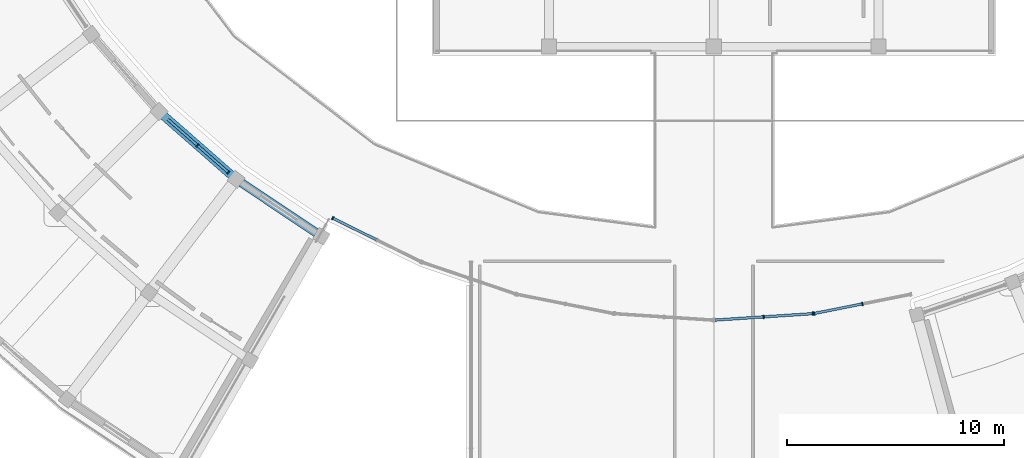
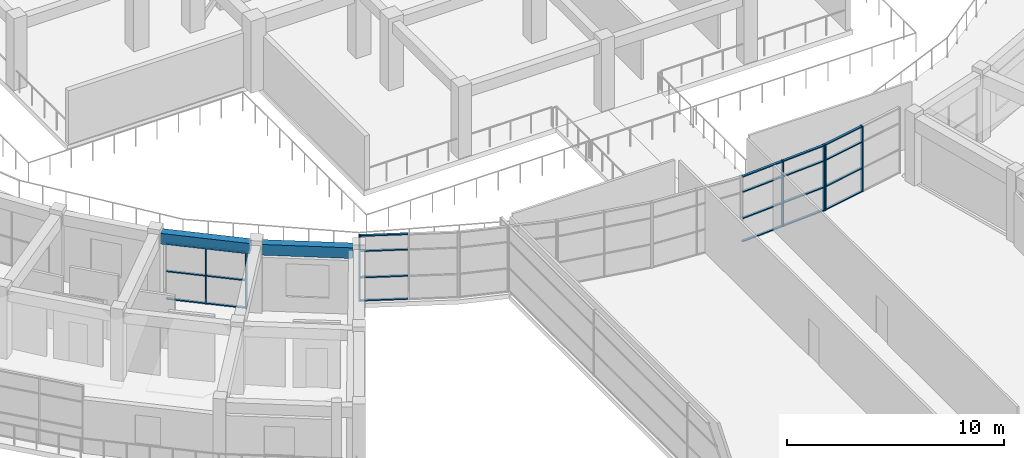
# One storey, part 15 of 83: 29 members, 2 beams, 4 elements without a shape of their own.
"""IFC4 building model written with IfcOpenShell, lengths in metres."""

import ifcopenshell
import ifcopenshell.guid

model = None  # the IFC model being written
_history = None  # IfcOwnerHistory: only IFC2X3 demands one
_inside = {}  # id of a spatial element -> (the spatial element, [elements in it])
_under = {}  # id of a project, library or spatial element -> (it, [spatial elements below it])
_declared = {}  # id of a project -> (the project, [libraries it declares])
_typed = {}  # id of a type object -> (the type object, [elements of that type])
_made_of = {}  # id of a material, layer set ... -> (it, [elements and type objects made of it])


def new_model(schema):
    """Start an empty IFC model of exactly this schema.

    Asked for "IFC4X3", IfcOpenShell would pick the latest addendum, in which some entities
    have other attributes; the version numbers below select the first issue.
    IFC2X3 requires an IfcOwnerHistory on every rooted entity: one is made here for all.
    """
    global model, _history
    if schema == "IFC4X3":
        model = ifcopenshell.file(schema_version=(4, 3, 0, 0))
    else:
        model = ifcopenshell.file(schema=schema)
    _inside.clear()
    _under.clear()
    _declared.clear()
    _typed.clear()
    _made_of.clear()
    _history = None
    if model.schema == "IFC2X3":
        org = make("IfcOrganization", Name="unknown")
        user = make(
            "IfcPersonAndOrganization",
            ThePerson=make("IfcPerson", FamilyName="unknown"),
            TheOrganization=org,
        )
        app = make(
            "IfcApplication",
            ApplicationDeveloper=org,
            Version="unknown",
            ApplicationFullName="unknown",
            ApplicationIdentifier="unknown",
        )
        _history = make(
            "IfcOwnerHistory",
            OwningUser=user,
            OwningApplication=app,
            ChangeAction="ADDED",
            CreationDate=0,
        )
    return model


def make(cls, **values):
    """One entity of the class cls with the attributes given. An attribute that is None is left unset."""
    return model.create_entity(
        cls, **{name: value for name, value in values.items() if value is not None}
    )


def rooted(cls, **values):
    """An entity with a GlobalId (a new one), such as an element, a storey or a relation."""
    return make(cls, GlobalId=ifcopenshell.guid.new(), OwnerHistory=_history, **values)


def si_unit(unit_type, name, prefix=None):
    """IfcSIUnit, for example si_unit("LENGTHUNIT", "METRE", prefix="MILLI")."""
    return make("IfcSIUnit", UnitType=unit_type, Prefix=prefix, Name=name)


def assignment(units):
    """IfcUnitAssignment: the units of a project."""
    return None if units is None else make("IfcUnitAssignment", Units=units)


def point(xyz):
    """IfcCartesianPoint."""
    return None if xyz is None else make("IfcCartesianPoint", Coordinates=xyz)


def direction(xyz):
    """IfcDirection."""
    return None if xyz is None else make("IfcDirection", DirectionRatios=xyz)


def frame(location, z_axis=None, x_axis=None):
    """IfcAxis2Placement3D, a coordinate frame: its origin and axes. An axis left out is left unset."""
    return make(
        "IfcAxis2Placement3D",
        Location=point(location),
        Axis=direction(z_axis),
        RefDirection=direction(x_axis),
    )


def frame_2d(location, x_axis=None):
    """IfcAxis2Placement2D, a coordinate frame in the plane: its origin and x axis."""
    return make(
        "IfcAxis2Placement2D", Location=point(location), RefDirection=direction(x_axis)
    )


def origin():
    """The frame at (0, 0, 0) with its axes left unset."""
    return frame((0.0, 0.0, 0.0))


def origin_2d():
    """The frame at (0, 0) in the plane with its x axis left unset."""
    return frame_2d((0.0, 0.0))


def place(relative_to, where):
    """IfcLocalPlacement: puts the frame where relative to a parent placement (None: the world)."""
    return make(
        "IfcLocalPlacement", PlacementRelTo=relative_to, RelativePlacement=where
    )


def context(
    kind, dimensions, precision=None, world=None, true_north=None, identifier=None
):
    """IfcGeometricRepresentationContext, for example the 3D "Model" context."""
    return make(
        "IfcGeometricRepresentationContext",
        ContextIdentifier=identifier,
        ContextType=kind,
        CoordinateSpaceDimension=dimensions,
        Precision=precision,
        WorldCoordinateSystem=world,
        TrueNorth=true_north,
    )


def subcontext(parent, identifier, kind, view, scale=None):
    """IfcGeometricRepresentationSubContext, for example "Body" below "Model"."""
    return make(
        "IfcGeometricRepresentationSubContext",
        ContextIdentifier=identifier,
        ContextType=kind,
        ParentContext=parent,
        TargetScale=scale,
        TargetView=view,
    )


def project(units=None, contexts=None):
    """IfcProject with its units and contexts."""
    return rooted(
        "IfcProject",
        Name="project",
        RepresentationContexts=contexts,
        UnitsInContext=assignment(units),
    )


def spatial(cls, under=None, at=None, **own):
    """A site, building, storey or space (cls), placed at a placement, below another one or the project."""
    s = rooted(cls, ObjectPlacement=at, **own)
    if under is not None:
        _under.setdefault(under.id(), (under, []))[1].append(s)
    return s


def profile(cls, at=None, kind="AREA", **sizes):
    """A parametric profile (cls). Its sizes go by their IFC names, for example OverallWidth=200.0."""
    return make(cls, ProfileType=kind, Position=at, **sizes)


def rectangle(**sizes):
    """IfcRectangleProfileDef."""
    return profile("IfcRectangleProfileDef", **sizes)


def extrude(swept, where, along, depth):
    """IfcExtrudedAreaSolid: the profile swept, set in the frame where, extruded along a direction by depth."""
    return make(
        "IfcExtrudedAreaSolid",
        SweptArea=swept,
        Position=where,
        ExtrudedDirection=direction(along),
        Depth=depth,
    )


def shape(context_of_items, identifier, shape_type, items):
    """IfcShapeRepresentation: the items that make up one representation, for example the "Body"."""
    return make(
        "IfcShapeRepresentation",
        ContextOfItems=context_of_items,
        RepresentationIdentifier=identifier,
        RepresentationType=shape_type,
        Items=items,
    )


def material(Name=None, Category=None):
    """IfcMaterial."""
    return make("IfcMaterial", Name=Name, Category=Category)


def material_profile(
    of_material, cross_section, Name=None, Category=None, Priority=None
):
    """IfcMaterialProfile: a cross section and its material."""
    return make(
        "IfcMaterialProfile",
        Name=Name,
        Material=of_material,
        Profile=cross_section,
        Priority=Priority,
        Category=Category,
    )


def profile_set(profiles, Name=None, composite=None):
    """IfcMaterialProfileSet."""
    return make(
        "IfcMaterialProfileSet",
        Name=Name,
        MaterialProfiles=profiles,
        CompositeProfile=composite,
    )


def made_of(thing, what):
    """Note that an element or type object is made of a material, layer set ...; save() writes the relation."""
    if what is not None:
        _made_of.setdefault(what.id(), (what, []))[1].append(thing)
    return thing


def type_object(cls, material=None, **own):
    """A type object (cls), such as IfcWallType, which elements share."""
    return made_of(rooted(cls, **own), material)


def element(
    cls,
    number,
    at=None,
    inside=None,
    cuts=None,
    type_object=None,
    material=None,
    context=None,
    identifier="Body",
    shape_type=None,
    held_by="IfcProductDefinitionShape",
    body=None,
    shapes=None,
    **own,
):
    """One element of the class cls, such as IfcWall. Its Tag is "e" and its number.

    at: its placement. inside: the storey or other place that contains it. cuts: it is an
    opening in that element (IfcRelVoidsElement). A single representation is given by context,
    identifier, shape_type and body (its items); several are given by shapes. held_by: the class
    of the entity that holds the representations. save() writes the other relations.
    """
    e = rooted(cls, Tag="e%d" % number, ObjectPlacement=at, **own)
    if body is not None:
        shapes = [shape(context, identifier, shape_type, body)]
    if shapes is not None:
        e.Representation = make(held_by, Representations=shapes)
    if inside is not None:
        _inside.setdefault(inside.id(), (inside, []))[1].append(e)
    if cuts is not None:
        rooted(
            "IfcRelVoidsElement", RelatingBuildingElement=cuts, RelatedOpeningElement=e
        )
    if type_object is not None:
        _typed.setdefault(type_object.id(), (type_object, []))[1].append(e)
    return made_of(e, material)


def aggregate(whole, parts):
    """IfcRelAggregates: a whole, such as a stair, and the parts it consists of."""
    return rooted("IfcRelAggregates", RelatingObject=whole, RelatedObjects=parts)


def save(model, path):
    """Write the relations noted so far, then the file.

    IfcRelAggregates (storeys below a building ...), IfcRelContainedInSpatialStructure (elements
    in a storey), IfcRelDefinesByType, IfcRelAssociatesMaterial and IfcRelDeclares: one each for
    every whole, place, type object, material and project.
    """
    for whole, parts in _under.values():
        aggregate(whole, parts)
    for where, things in _inside.values():
        rooted(
            "IfcRelContainedInSpatialStructure",
            RelatedElements=things,
            RelatingStructure=where,
        )
    for kind, things in _typed.values():
        rooted("IfcRelDefinesByType", RelatedObjects=things, RelatingType=kind)
    for what, things in _made_of.values():
        rooted("IfcRelAssociatesMaterial", RelatedObjects=things, RelatingMaterial=what)
    for by, libraries in _declared.values():
        rooted("IfcRelDeclares", RelatingContext=by, RelatedDefinitions=libraries)
    model.write(path)


model = new_model("IFC4")

# Units and contexts
model_context = context("Model", 3, precision=1e-05, world=origin(), true_north=direction((0.0, 1.0)))
body_context = subcontext(model_context, "Body", "Model", "MODEL_VIEW")
ifc_project = project(units=[si_unit("LENGTHUNIT", "METRE"), si_unit("AREAUNIT", "SQUARE_METRE"), si_unit("VOLUMEUNIT", "CUBIC_METRE"), si_unit("PLANEANGLEUNIT", "RADIAN"), si_unit("MASSUNIT", "GRAM", prefix="KILO")], contexts=[model_context])

# Site, building, storey
site_placement = place(None, origin())
site = spatial("IfcSite", under=ifc_project, at=site_placement, CompositionType="ELEMENT")
building_placement = place(site_placement, origin())
building = spatial("IfcBuilding", under=site, at=building_placement, Name="Saryqyr Civic Hall", CompositionType="ELEMENT")
storey_placement = place(building_placement, frame((0.0, 0.0, 9.14990234375)))
storey = spatial("IfcBuildingStorey", under=building, at=storey_placement, Name="L02", CompositionType="ELEMENT", Elevation=9.14990234375)

# Curtain wall, members
ifc_material_1 = material(Name="Anodised aluminium and triple low-E glass", Category="aluminium")
curtain_wall_type_1 = type_object("IfcCurtainWallType", Name="ENV-CW-STD-27", PredefinedType="NOTDEFINED", material=ifc_material_1)
curtain_wall_1_placement = place(storey_placement, origin())
curtain_wall_1 = element("IfcCurtainWall", 1, at=curtain_wall_1_placement, inside=storey, type_object=curtain_wall_type_1, Name="Curtain wall V4-CWI-L02-08", PredefinedType="NOTDEFINED")
ifc_material_2 = material(Name="Anodised aluminium", Category="aluminium")
ifc_material_profile_1 = material_profile(ifc_material_2, rectangle(XDim=0.06005859375, YDim=0.159912109375, at=origin_2d()), Name="ALU MULLION 60x160")
ifc_profile_set_1 = profile_set([ifc_material_profile_1], Name="Anodised aluminium")
member_type_1 = type_object("IfcMemberType", Name="ENV-CW-MUL-180", PredefinedType="MULLION", material=ifc_profile_set_1)
member_1_placement = place(storey_placement, frame((33.182861328125, 56.841552734375, 0.0), z_axis=(0.0, 0.0, 1.0), x_axis=(0.751850148543, -0.65933402319, 0.0)))
member_1 = element("IfcMember", 2, at=member_1_placement, type_object=member_type_1, Name="CW-27 mullion 2", PredefinedType="MULLION", context=body_context, shape_type="SweptSolid", body=[
    extrude(rectangle(XDim=0.06005859375, YDim=0.159912109375, at=origin_2d()), origin(), (0.0, 0.0, 1.0), 3.1650390625),
])
member_2_placement = place(storey_placement, frame((34.600341796875, 55.5986328125, 0.0), z_axis=(0.0, 0.0, 1.0), x_axis=(0.751850148543, -0.65933402319, 0.0)))
member_2 = element("IfcMember", 3, at=member_2_placement, type_object=member_type_1, Name="CW-27 mullion 3", PredefinedType="MULLION", context=body_context, shape_type="SweptSolid", body=[
    extrude(rectangle(XDim=0.06005859375, YDim=0.159912109375, at=origin_2d()), origin(), (0.0, 0.0, 1.0), 3.1650390625),
])

# Curtain wall, member
curtain_wall_type_2 = type_object("IfcCurtainWallType", Name="ENV-CW-STD-74", PredefinedType="NOTDEFINED", material=ifc_material_1)
curtain_wall_2_placement = place(storey_placement, origin())
curtain_wall_2 = element("IfcCurtainWall", 4, at=curtain_wall_2_placement, inside=storey, type_object=curtain_wall_type_2, Name="Curtain wall V2-PERIM-CW-L02-32", PredefinedType="NOTDEFINED")
member_3_placement = place(storey_placement, frame((39.4169921875, 53.4853515625, 0.0), z_axis=(0.0, 0.0, 1.0), x_axis=(-0.896875116746, 0.44228387373, 0.0)))
member_3 = element("IfcMember", 5, at=member_3_placement, type_object=member_type_1, Name="CW-74 mullion 3", PredefinedType="MULLION", context=body_context, shape_type="SweptSolid", body=[
    extrude(rectangle(XDim=0.06005859375, YDim=0.159912109375, at=origin_2d()), origin(), (0.0, 0.0, 1.0), 3.7001953125),
])

# Curtain wall, members
curtain_wall_3_placement = place(storey_placement, origin())
curtain_wall_3 = element("IfcCurtainWall", 6, at=curtain_wall_3_placement, inside=storey, type_object=curtain_wall_type_2, Name="Curtain wall V2-PERIM-CW-L02-36", PredefinedType="NOTDEFINED")
member_4_placement = place(storey_placement, frame((61.567138671875, 49.079345703125, 0.0), z_axis=(0.0, 0.0, 1.0), x_axis=(-0.997859062814, -0.065400999681, 0.0)))
member_4 = element("IfcMember", 7, at=member_4_placement, type_object=member_type_1, Name="CW-74 mullion 1", PredefinedType="MULLION", context=body_context, shape_type="SweptSolid", body=[
    extrude(rectangle(XDim=0.06005859375, YDim=0.159912109375, at=origin_2d()), origin(), (0.0, 0.0, 1.0), 3.7001953125),
])
member_5_placement = place(storey_placement, frame((59.298583984375, 48.9306640625, 0.0), z_axis=(0.0, 0.0, 1.0), x_axis=(-0.997859062814, -0.065400999681, 0.0)))
member_5 = element("IfcMember", 8, at=member_5_placement, type_object=member_type_1, Name="CW-74 mullion 2", PredefinedType="MULLION", context=body_context, shape_type="SweptSolid", body=[
    extrude(rectangle(XDim=0.06005859375, YDim=0.159912109375, at=origin_2d()), origin(), (0.0, 0.0, 1.0), 3.7001953125),
])

curtain_wall_4_placement = place(storey_placement, origin())
curtain_wall_4 = element("IfcCurtainWall", 9, at=curtain_wall_4_placement, inside=storey, type_object=curtain_wall_type_2, Name="Curtain wall V2-PERIM-CW-L02-37", PredefinedType="NOTDEFINED")
member_6_placement = place(storey_placement, frame((63.8564453125, 49.53076171875, 0.0), z_axis=(0.0, 0.0, 1.0), x_axis=(-0.980784679507, -0.195093342902, 0.0)))
member_6 = element("IfcMember", 10, at=member_6_placement, type_object=member_type_1, Name="CW-74 mullion 2", PredefinedType="MULLION", context=body_context, shape_type="SweptSolid", body=[
    extrude(rectangle(XDim=0.06005859375, YDim=0.159912109375, at=origin_2d()), origin(), (0.0, 0.0, 1.0), 3.7001953125),
])
member_7_placement = place(storey_placement, frame((61.62646484375, 49.087158203125, 0.0), z_axis=(0.0, 0.0, 1.0), x_axis=(-0.980784679507, -0.195093342902, 0.0)))
member_7 = element("IfcMember", 11, at=member_7_placement, type_object=member_type_1, Name="CW-74 mullion 3", PredefinedType="MULLION", context=body_context, shape_type="SweptSolid", body=[
    extrude(rectangle(XDim=0.06005859375, YDim=0.159912109375, at=origin_2d()), origin(), (0.0, 0.0, 1.0), 3.7001953125),
])

# Member
ifc_material_profile_2 = material_profile(ifc_material_2, rectangle(XDim=0.1201171875, YDim=0.06005859375, at=origin_2d()), Name="ALU TRANSOM 120x60")
ifc_profile_set_2 = profile_set([ifc_material_profile_2], Name="Anodised aluminium")
member_type_2 = type_object("IfcMemberType", Name="ENV-CW-TRN-150", PredefinedType="USERDEFINED", material=ifc_profile_set_2)
member_8_placement = place(storey_placement, frame((31.787841796875, 58.06494140625, 0.030029296875), z_axis=(0.751805640639, -0.659384772878, 0.0), x_axis=(0.659384772878, 0.751805640639, 0.0)))
member_8 = element("IfcMember", 12, at=member_8_placement, type_object=member_type_2, Name="CW-27 transom 1.1", ObjectType="TRANSOM", PredefinedType="USERDEFINED", context=body_context, shape_type="SweptSolid", body=[
    extrude(rectangle(XDim=0.1201171875, YDim=0.06005859375, at=origin_2d()), origin(), (0.0, 0.0, 1.0), 1.825439453125),
])

member_9_placement = place(storey_placement, frame((31.787841796875, 58.06494140625, 1.58203125), z_axis=(0.751805640639, -0.659384772878, 0.0), x_axis=(0.659384772878, 0.751805640639, 0.0)))
member_9 = element("IfcMember", 13, at=member_9_placement, type_object=member_type_2, Name="CW-27 transom 1.2", ObjectType="TRANSOM", PredefinedType="USERDEFINED", context=body_context, shape_type="SweptSolid", body=[
    extrude(rectangle(XDim=0.1201171875, YDim=0.06005859375, at=origin_2d()), origin(), (0.0, 0.0, 1.0), 1.825439453125),
])

member_10_placement = place(storey_placement, frame((31.787841796875, 58.06494140625, 3.135009765625), z_axis=(0.751805640639, -0.659384772878, 0.0), x_axis=(0.659384772878, 0.751805640639, 0.0)))
member_10 = element("IfcMember", 14, at=member_10_placement, type_object=member_type_2, Name="CW-27 transom 1.3", ObjectType="TRANSOM", PredefinedType="USERDEFINED", context=body_context, shape_type="SweptSolid", body=[
    extrude(rectangle(XDim=0.1201171875, YDim=0.06005859375, at=origin_2d()), origin(), (0.0, 0.0, 1.0), 1.825439453125),
])

member_11_placement = place(storey_placement, frame((33.205322265625, 56.82177734375, 0.030029296875), z_axis=(0.75187194619, -0.659309166122, 0.0), x_axis=(0.659309166122, 0.75187194619, 0.0)))
member_11 = element("IfcMember", 15, at=member_11_placement, type_object=member_type_2, Name="CW-27 transom 2.1", ObjectType="TRANSOM", PredefinedType="USERDEFINED", context=body_context, shape_type="SweptSolid", body=[
    extrude(rectangle(XDim=0.1201171875, YDim=0.06005859375, at=origin_2d()), origin(), (0.0, 0.0, 1.0), 1.8251953125),
])

member_12_placement = place(storey_placement, frame((33.205322265625, 56.82177734375, 1.58203125), z_axis=(0.75187194619, -0.659309166122, 0.0), x_axis=(0.659309166122, 0.75187194619, 0.0)))
member_12 = element("IfcMember", 16, at=member_12_placement, type_object=member_type_2, Name="CW-27 transom 2.2", ObjectType="TRANSOM", PredefinedType="USERDEFINED", context=body_context, shape_type="SweptSolid", body=[
    extrude(rectangle(XDim=0.1201171875, YDim=0.06005859375, at=origin_2d()), origin(), (0.0, 0.0, 1.0), 1.8251953125),
])

member_13_placement = place(storey_placement, frame((33.205322265625, 56.82177734375, 3.135009765625), z_axis=(0.75187194619, -0.659309166122, 0.0), x_axis=(0.659309166122, 0.75187194619, 0.0)))
member_13 = element("IfcMember", 17, at=member_13_placement, type_object=member_type_2, Name="CW-27 transom 2.3", ObjectType="TRANSOM", PredefinedType="USERDEFINED", context=body_context, shape_type="SweptSolid", body=[
    extrude(rectangle(XDim=0.1201171875, YDim=0.06005859375, at=origin_2d()), origin(), (0.0, 0.0, 1.0), 1.8251953125),
])

aggregate(curtain_wall_1, [member_1, member_2, member_8, member_9, member_10, member_11, member_12, member_13])

member_14_placement = place(storey_placement, frame((41.428955078125, 52.4931640625, 0.030029296875), z_axis=(-0.896862479168, 0.442309499627, 0.0), x_axis=(-0.442309499627, -0.896862479168, 0.0)))
member_14 = element("IfcMember", 18, at=member_14_placement, type_object=member_type_2, Name="CW-74 transom 2.1", ObjectType="TRANSOM", PredefinedType="USERDEFINED", context=body_context, shape_type="SweptSolid", body=[
    extrude(rectangle(XDim=0.1201171875, YDim=0.06005859375, at=origin_2d()), origin(), (0.0, 0.0, 1.0), 2.21337890625),
])

member_15_placement = place(storey_placement, frame((41.428955078125, 52.4931640625, 1.33203125), z_axis=(-0.896862479168, 0.442309499627, 0.0), x_axis=(-0.442309499627, -0.896862479168, 0.0)))
member_15 = element("IfcMember", 19, at=member_15_placement, type_object=member_type_2, Name="CW-74 transom 2.2", ObjectType="TRANSOM", PredefinedType="USERDEFINED", context=body_context, shape_type="SweptSolid", body=[
    extrude(rectangle(XDim=0.1201171875, YDim=0.06005859375, at=origin_2d()), origin(), (0.0, 0.0, 1.0), 2.21337890625),
])

member_16_placement = place(storey_placement, frame((41.428955078125, 52.4931640625, 2.81201171875), z_axis=(-0.896862479168, 0.442309499627, 0.0), x_axis=(-0.442309499627, -0.896862479168, 0.0)))
member_16 = element("IfcMember", 20, at=member_16_placement, type_object=member_type_2, Name="CW-74 transom 2.3", ObjectType="TRANSOM", PredefinedType="USERDEFINED", context=body_context, shape_type="SweptSolid", body=[
    extrude(rectangle(XDim=0.1201171875, YDim=0.06005859375, at=origin_2d()), origin(), (0.0, 0.0, 1.0), 2.21337890625),
])

member_17_placement = place(storey_placement, frame((41.428955078125, 52.4931640625, 3.670166015625), z_axis=(-0.896862479168, 0.442309499627, 0.0), x_axis=(-0.442309499627, -0.896862479168, 0.0)))
member_17 = element("IfcMember", 21, at=member_17_placement, type_object=member_type_2, Name="CW-74 transom 2.4", ObjectType="TRANSOM", PredefinedType="USERDEFINED", context=body_context, shape_type="SweptSolid", body=[
    extrude(rectangle(XDim=0.1201171875, YDim=0.06005859375, at=origin_2d()), origin(), (0.0, 0.0, 1.0), 2.21337890625),
])

aggregate(curtain_wall_2, [member_3, member_14, member_15, member_16, member_17])

member_18_placement = place(storey_placement, frame((61.537109375, 49.077392578125, 0.030029296875), z_axis=(-0.997858719579, -0.0654062364, 0.0), x_axis=(0.0654062364, -0.997858719579, 0.0)))
member_18 = element("IfcMember", 22, at=member_18_placement, type_object=member_type_2, Name="CW-74 transom 1.1", ObjectType="TRANSOM", PredefinedType="USERDEFINED", context=body_context, shape_type="SweptSolid", body=[
    extrude(rectangle(XDim=0.1201171875, YDim=0.06005859375, at=origin_2d()), origin(), (0.0, 0.0, 1.0), 2.21337890625),
])

member_19_placement = place(storey_placement, frame((61.537109375, 49.077392578125, 1.33203125), z_axis=(-0.997858719579, -0.0654062364, 0.0), x_axis=(0.0654062364, -0.997858719579, 0.0)))
member_19 = element("IfcMember", 23, at=member_19_placement, type_object=member_type_2, Name="CW-74 transom 1.2", ObjectType="TRANSOM", PredefinedType="USERDEFINED", context=body_context, shape_type="SweptSolid", body=[
    extrude(rectangle(XDim=0.1201171875, YDim=0.06005859375, at=origin_2d()), origin(), (0.0, 0.0, 1.0), 2.21337890625),
])

member_20_placement = place(storey_placement, frame((61.537109375, 49.077392578125, 2.81201171875), z_axis=(-0.997858719579, -0.0654062364, 0.0), x_axis=(0.0654062364, -0.997858719579, 0.0)))
member_20 = element("IfcMember", 24, at=member_20_placement, type_object=member_type_2, Name="CW-74 transom 1.3", ObjectType="TRANSOM", PredefinedType="USERDEFINED", context=body_context, shape_type="SweptSolid", body=[
    extrude(rectangle(XDim=0.1201171875, YDim=0.06005859375, at=origin_2d()), origin(), (0.0, 0.0, 1.0), 2.21337890625),
])

member_21_placement = place(storey_placement, frame((61.537109375, 49.077392578125, 3.670166015625), z_axis=(-0.997858719579, -0.0654062364, 0.0), x_axis=(0.0654062364, -0.997858719579, 0.0)))
member_21 = element("IfcMember", 25, at=member_21_placement, type_object=member_type_2, Name="CW-74 transom 1.4", ObjectType="TRANSOM", PredefinedType="USERDEFINED", context=body_context, shape_type="SweptSolid", body=[
    extrude(rectangle(XDim=0.1201171875, YDim=0.06005859375, at=origin_2d()), origin(), (0.0, 0.0, 1.0), 2.21337890625),
])

member_22_placement = place(storey_placement, frame((59.2685546875, 48.9287109375, 0.030029296875), z_axis=(-0.997858719579, -0.0654062364, 0.0), x_axis=(0.0654062364, -0.997858719579, 0.0)))
member_22 = element("IfcMember", 26, at=member_22_placement, type_object=member_type_2, Name="CW-74 transom 2.1", ObjectType="TRANSOM", PredefinedType="USERDEFINED", context=body_context, shape_type="SweptSolid", body=[
    extrude(rectangle(XDim=0.1201171875, YDim=0.06005859375, at=origin_2d()), origin(), (0.0, 0.0, 1.0), 2.21337890625),
])

member_23_placement = place(storey_placement, frame((59.2685546875, 48.9287109375, 1.33203125), z_axis=(-0.997858719579, -0.0654062364, 0.0), x_axis=(0.0654062364, -0.997858719579, 0.0)))
member_23 = element("IfcMember", 27, at=member_23_placement, type_object=member_type_2, Name="CW-74 transom 2.2", ObjectType="TRANSOM", PredefinedType="USERDEFINED", context=body_context, shape_type="SweptSolid", body=[
    extrude(rectangle(XDim=0.1201171875, YDim=0.06005859375, at=origin_2d()), origin(), (0.0, 0.0, 1.0), 2.21337890625),
])

member_24_placement = place(storey_placement, frame((59.2685546875, 48.9287109375, 2.81201171875), z_axis=(-0.997858719579, -0.0654062364, 0.0), x_axis=(0.0654062364, -0.997858719579, 0.0)))
member_24 = element("IfcMember", 28, at=member_24_placement, type_object=member_type_2, Name="CW-74 transom 2.3", ObjectType="TRANSOM", PredefinedType="USERDEFINED", context=body_context, shape_type="SweptSolid", body=[
    extrude(rectangle(XDim=0.1201171875, YDim=0.06005859375, at=origin_2d()), origin(), (0.0, 0.0, 1.0), 2.21337890625),
])

member_25_placement = place(storey_placement, frame((59.2685546875, 48.9287109375, 3.670166015625), z_axis=(-0.997858719579, -0.0654062364, 0.0), x_axis=(0.0654062364, -0.997858719579, 0.0)))
member_25 = element("IfcMember", 29, at=member_25_placement, type_object=member_type_2, Name="CW-74 transom 2.4", ObjectType="TRANSOM", PredefinedType="USERDEFINED", context=body_context, shape_type="SweptSolid", body=[
    extrude(rectangle(XDim=0.1201171875, YDim=0.06005859375, at=origin_2d()), origin(), (0.0, 0.0, 1.0), 2.21337890625),
])

aggregate(curtain_wall_3, [member_4, member_5, member_18, member_19, member_20, member_21, member_22, member_23, member_24, member_25])

member_26_placement = place(storey_placement, frame((63.826904296875, 49.52490234375, 0.030029296875), z_axis=(-0.980779555737, -0.195119099651, 0.0), x_axis=(0.195119099651, -0.980779555737, 0.0)))
member_26 = element("IfcMember", 30, at=member_26_placement, type_object=member_type_2, Name="CW-74 transom 2.1", ObjectType="TRANSOM", PredefinedType="USERDEFINED", context=body_context, shape_type="SweptSolid", body=[
    extrude(rectangle(XDim=0.1201171875, YDim=0.06005859375, at=origin_2d()), origin(), (0.0, 0.0, 1.0), 2.21337890625),
])

member_27_placement = place(storey_placement, frame((63.826904296875, 49.52490234375, 1.33203125), z_axis=(-0.980779555737, -0.195119099651, 0.0), x_axis=(0.195119099651, -0.980779555737, 0.0)))
member_27 = element("IfcMember", 31, at=member_27_placement, type_object=member_type_2, Name="CW-74 transom 2.2", ObjectType="TRANSOM", PredefinedType="USERDEFINED", context=body_context, shape_type="SweptSolid", body=[
    extrude(rectangle(XDim=0.1201171875, YDim=0.06005859375, at=origin_2d()), origin(), (0.0, 0.0, 1.0), 2.21337890625),
])

member_28_placement = place(storey_placement, frame((63.826904296875, 49.52490234375, 2.81201171875), z_axis=(-0.980779555737, -0.195119099651, 0.0), x_axis=(0.195119099651, -0.980779555737, 0.0)))
member_28 = element("IfcMember", 32, at=member_28_placement, type_object=member_type_2, Name="CW-74 transom 2.3", ObjectType="TRANSOM", PredefinedType="USERDEFINED", context=body_context, shape_type="SweptSolid", body=[
    extrude(rectangle(XDim=0.1201171875, YDim=0.06005859375, at=origin_2d()), origin(), (0.0, 0.0, 1.0), 2.21337890625),
])

member_29_placement = place(storey_placement, frame((63.826904296875, 49.52490234375, 3.670166015625), z_axis=(-0.980779555737, -0.195119099651, 0.0), x_axis=(0.195119099651, -0.980779555737, 0.0)))
member_29 = element("IfcMember", 33, at=member_29_placement, type_object=member_type_2, Name="CW-74 transom 2.4", ObjectType="TRANSOM", PredefinedType="USERDEFINED", context=body_context, shape_type="SweptSolid", body=[
    extrude(rectangle(XDim=0.1201171875, YDim=0.06005859375, at=origin_2d()), origin(), (0.0, 0.0, 1.0), 2.21337890625),
])

aggregate(curtain_wall_4, [member_6, member_7, member_26, member_27, member_28, member_29])

# Beams
ifc_material_3 = material(Name="Concrete C35/45", Category="concrete")
ifc_material_profile_3 = material_profile(ifc_material_3, rectangle(XDim=0.39990234375, YDim=0.60009765625, at=origin_2d()), Name="RC 400x600")
ifc_profile_set_3 = profile_set([ifc_material_profile_3], Name="Concrete C35/45")
beam_type = type_object("IfcBeamType", Name="STR-BM-RC400x600-EXT", PredefinedType="BEAM", material=ifc_profile_set_3)
for number, where, z_axis, x_axis, name in (
    (34, (31.609619140625, 58.221435546875, 3.489990234375), (0.751824557471, -0.659363203996, 0.0), (0.659363203996, 0.751824557471, 0.0), "Beam V4-CBM-IN08-L02"),
    (35, (35.19140625, 55.127685546875, 3.489990234375), (0.831502440642, -0.555521098795, 0.0), (0.555521098795, 0.831502440642, 0.0), "Beam V4-CBM-IN09-L02"),
):
    element("IfcBeam", number, at=place(storey_placement, frame(where, z_axis=z_axis, x_axis=x_axis)), inside=storey, type_object=beam_type, Name=name, PredefinedType="BEAM", context=body_context, shape_type="SweptSolid", body=[
        extrude(rectangle(XDim=0.39990234375, YDim=0.60009765625, at=origin_2d()), origin(), (0.0, 0.0, 1.0), 4.18505859375),
    ])

save(model, "model.ifc")
